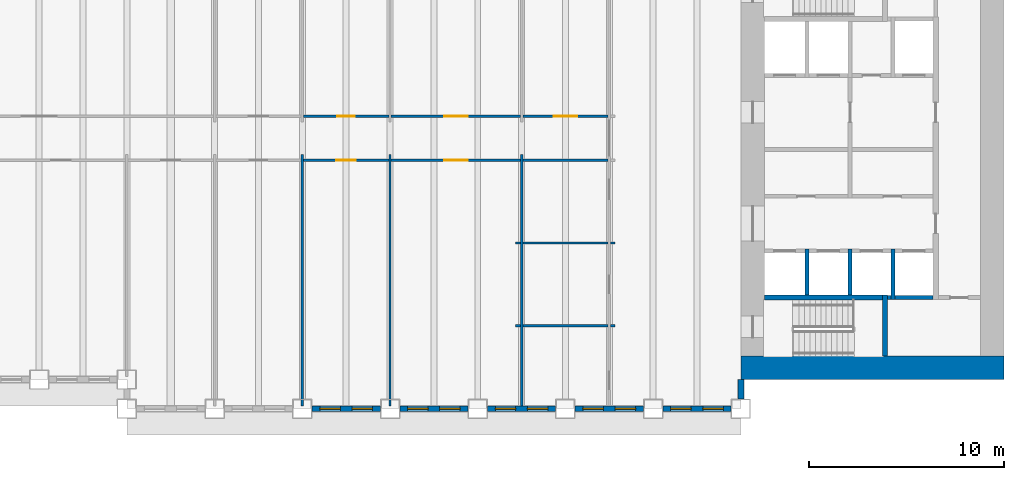
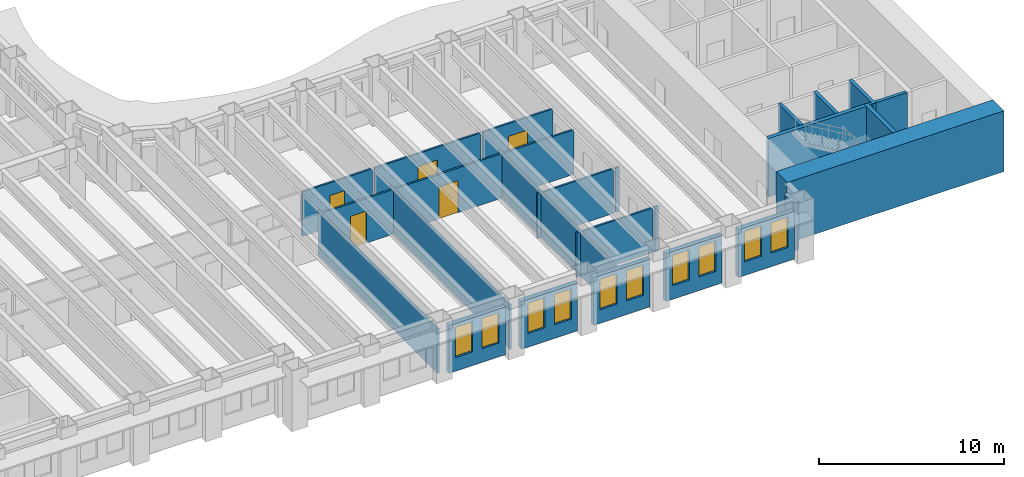
# One storey, part 5 of 16: 29 walls, 10 windows, 5 doors, 15 openings.
"""IFC4 building model written with IfcOpenShell, lengths in metres."""

import ifcopenshell
import ifcopenshell.guid

model = None  # the IFC model being written
_history = None  # IfcOwnerHistory: only IFC2X3 demands one
_inside = {}  # id of a spatial element -> (the spatial element, [elements in it])
_under = {}  # id of a project, library or spatial element -> (it, [spatial elements below it])
_declared = {}  # id of a project -> (the project, [libraries it declares])
_typed = {}  # id of a type object -> (the type object, [elements of that type])
_made_of = {}  # id of a material, layer set ... -> (it, [elements and type objects made of it])


def new_model(schema):
    """Start an empty IFC model of exactly this schema.

    Asked for "IFC4X3", IfcOpenShell would pick the latest addendum, in which some entities
    have other attributes; the version numbers below select the first issue.
    IFC2X3 requires an IfcOwnerHistory on every rooted entity: one is made here for all.
    """
    global model, _history
    if schema == "IFC4X3":
        model = ifcopenshell.file(schema_version=(4, 3, 0, 0))
    else:
        model = ifcopenshell.file(schema=schema)
    _inside.clear()
    _under.clear()
    _declared.clear()
    _typed.clear()
    _made_of.clear()
    _history = None
    if model.schema == "IFC2X3":
        org = make("IfcOrganization", Name="unknown")
        user = make(
            "IfcPersonAndOrganization",
            ThePerson=make("IfcPerson", FamilyName="unknown"),
            TheOrganization=org,
        )
        app = make(
            "IfcApplication",
            ApplicationDeveloper=org,
            Version="unknown",
            ApplicationFullName="unknown",
            ApplicationIdentifier="unknown",
        )
        _history = make(
            "IfcOwnerHistory",
            OwningUser=user,
            OwningApplication=app,
            ChangeAction="ADDED",
            CreationDate=0,
        )
    return model


def make(cls, **values):
    """One entity of the class cls with the attributes given. An attribute that is None is left unset."""
    return model.create_entity(
        cls, **{name: value for name, value in values.items() if value is not None}
    )


def rooted(cls, **values):
    """An entity with a GlobalId (a new one), such as an element, a storey or a relation."""
    return make(cls, GlobalId=ifcopenshell.guid.new(), OwnerHistory=_history, **values)


def si_unit(unit_type, name, prefix=None):
    """IfcSIUnit, for example si_unit("LENGTHUNIT", "METRE", prefix="MILLI")."""
    return make("IfcSIUnit", UnitType=unit_type, Prefix=prefix, Name=name)


def assignment(units):
    """IfcUnitAssignment: the units of a project."""
    return None if units is None else make("IfcUnitAssignment", Units=units)


def point(xyz):
    """IfcCartesianPoint."""
    return None if xyz is None else make("IfcCartesianPoint", Coordinates=xyz)


def direction(xyz):
    """IfcDirection."""
    return None if xyz is None else make("IfcDirection", DirectionRatios=xyz)


def frame(location, z_axis=None, x_axis=None):
    """IfcAxis2Placement3D, a coordinate frame: its origin and axes. An axis left out is left unset."""
    return make(
        "IfcAxis2Placement3D",
        Location=point(location),
        Axis=direction(z_axis),
        RefDirection=direction(x_axis),
    )


def frame_2d(location, x_axis=None):
    """IfcAxis2Placement2D, a coordinate frame in the plane: its origin and x axis."""
    return make(
        "IfcAxis2Placement2D", Location=point(location), RefDirection=direction(x_axis)
    )


def origin():
    """The frame at (0, 0, 0) with its axes left unset."""
    return frame((0.0, 0.0, 0.0))


def place(relative_to, where):
    """IfcLocalPlacement: puts the frame where relative to a parent placement (None: the world)."""
    return make(
        "IfcLocalPlacement", PlacementRelTo=relative_to, RelativePlacement=where
    )


def context(
    kind, dimensions, precision=None, world=None, true_north=None, identifier=None
):
    """IfcGeometricRepresentationContext, for example the 3D "Model" context."""
    return make(
        "IfcGeometricRepresentationContext",
        ContextIdentifier=identifier,
        ContextType=kind,
        CoordinateSpaceDimension=dimensions,
        Precision=precision,
        WorldCoordinateSystem=world,
        TrueNorth=true_north,
    )


def subcontext(parent, identifier, kind, view, scale=None):
    """IfcGeometricRepresentationSubContext, for example "Body" below "Model"."""
    return make(
        "IfcGeometricRepresentationSubContext",
        ContextIdentifier=identifier,
        ContextType=kind,
        ParentContext=parent,
        TargetScale=scale,
        TargetView=view,
    )


def project(units=None, contexts=None):
    """IfcProject with its units and contexts."""
    return rooted(
        "IfcProject",
        Name="project",
        RepresentationContexts=contexts,
        UnitsInContext=assignment(units),
    )


def spatial(cls, under=None, at=None, **own):
    """A site, building, storey or space (cls), placed at a placement, below another one or the project."""
    s = rooted(cls, ObjectPlacement=at, **own)
    if under is not None:
        _under.setdefault(under.id(), (under, []))[1].append(s)
    return s


def profile(cls, at=None, kind="AREA", **sizes):
    """A parametric profile (cls). Its sizes go by their IFC names, for example OverallWidth=200.0."""
    return make(cls, ProfileType=kind, Position=at, **sizes)


def rectangle(**sizes):
    """IfcRectangleProfileDef."""
    return profile("IfcRectangleProfileDef", **sizes)


def extrude(swept, where, along, depth):
    """IfcExtrudedAreaSolid: the profile swept, set in the frame where, extruded along a direction by depth."""
    return make(
        "IfcExtrudedAreaSolid",
        SweptArea=swept,
        Position=where,
        ExtrudedDirection=direction(along),
        Depth=depth,
    )


def shape(context_of_items, identifier, shape_type, items):
    """IfcShapeRepresentation: the items that make up one representation, for example the "Body"."""
    return make(
        "IfcShapeRepresentation",
        ContextOfItems=context_of_items,
        RepresentationIdentifier=identifier,
        RepresentationType=shape_type,
        Items=items,
    )


def material(Name=None, Category=None):
    """IfcMaterial."""
    return make("IfcMaterial", Name=Name, Category=Category)


def layer(
    of_material, thickness, ventilated=None, Name=None, Category=None, Priority=None
):
    """IfcMaterialLayer: one layer of a wall or slab, of a material (None: an air gap)."""
    return make(
        "IfcMaterialLayer",
        Material=of_material,
        LayerThickness=thickness,
        IsVentilated=ventilated,
        Name=Name,
        Category=Category,
        Priority=Priority,
    )


def layer_set(layers, Name=None):
    """IfcMaterialLayerSet."""
    return make("IfcMaterialLayerSet", MaterialLayers=layers, LayerSetName=Name)


def made_of(thing, what):
    """Note that an element or type object is made of a material, layer set ...; save() writes the relation."""
    if what is not None:
        _made_of.setdefault(what.id(), (what, []))[1].append(thing)
    return thing


def type_object(cls, material=None, **own):
    """A type object (cls), such as IfcWallType, which elements share."""
    return made_of(rooted(cls, **own), material)


def element(
    cls,
    number,
    at=None,
    inside=None,
    cuts=None,
    type_object=None,
    material=None,
    context=None,
    identifier="Body",
    shape_type=None,
    held_by="IfcProductDefinitionShape",
    body=None,
    shapes=None,
    **own,
):
    """One element of the class cls, such as IfcWall. Its Tag is "e" and its number.

    at: its placement. inside: the storey or other place that contains it. cuts: it is an
    opening in that element (IfcRelVoidsElement). A single representation is given by context,
    identifier, shape_type and body (its items); several are given by shapes. held_by: the class
    of the entity that holds the representations. save() writes the other relations.
    """
    e = rooted(cls, Tag="e%d" % number, ObjectPlacement=at, **own)
    if body is not None:
        shapes = [shape(context, identifier, shape_type, body)]
    if shapes is not None:
        e.Representation = make(held_by, Representations=shapes)
    if inside is not None:
        _inside.setdefault(inside.id(), (inside, []))[1].append(e)
    if cuts is not None:
        rooted(
            "IfcRelVoidsElement", RelatingBuildingElement=cuts, RelatedOpeningElement=e
        )
    if type_object is not None:
        _typed.setdefault(type_object.id(), (type_object, []))[1].append(e)
    return made_of(e, material)


def fill(opening, filler):
    """IfcRelFillsElement: the door or window that sits in an opening."""
    return rooted(
        "IfcRelFillsElement",
        RelatingOpeningElement=opening,
        RelatedBuildingElement=filler,
    )


def aggregate(whole, parts):
    """IfcRelAggregates: a whole, such as a stair, and the parts it consists of."""
    return rooted("IfcRelAggregates", RelatingObject=whole, RelatedObjects=parts)


def save(model, path):
    """Write the relations noted so far, then the file.

    IfcRelAggregates (storeys below a building ...), IfcRelContainedInSpatialStructure (elements
    in a storey), IfcRelDefinesByType, IfcRelAssociatesMaterial and IfcRelDeclares: one each for
    every whole, place, type object, material and project.
    """
    for whole, parts in _under.values():
        aggregate(whole, parts)
    for where, things in _inside.values():
        rooted(
            "IfcRelContainedInSpatialStructure",
            RelatedElements=things,
            RelatingStructure=where,
        )
    for kind, things in _typed.values():
        rooted("IfcRelDefinesByType", RelatedObjects=things, RelatingType=kind)
    for what, things in _made_of.values():
        rooted("IfcRelAssociatesMaterial", RelatedObjects=things, RelatingMaterial=what)
    for by, libraries in _declared.values():
        rooted("IfcRelDeclares", RelatingContext=by, RelatedDefinitions=libraries)
    model.write(path)


model = new_model("IFC4")

# Units and contexts
model_context = context("Model", 3, precision=1e-05, world=origin(), true_north=direction((0.0, 1.0)))
body_context = subcontext(model_context, "Body", "Model", "MODEL_VIEW")
ifc_project = project(units=[si_unit("LENGTHUNIT", "METRE"), si_unit("AREAUNIT", "SQUARE_METRE"), si_unit("VOLUMEUNIT", "CUBIC_METRE"), si_unit("PLANEANGLEUNIT", "RADIAN"), si_unit("MASSUNIT", "GRAM", prefix="KILO")], contexts=[model_context])

# Site, building, storey
site_placement = place(None, origin())
site = spatial("IfcSite", under=ifc_project, at=site_placement, CompositionType="ELEMENT")
building_placement = place(site_placement, origin())
building = spatial("IfcBuilding", under=site, at=building_placement, Name="Sennacour Bend Tower", CompositionType="ELEMENT")
storey_placement = place(building_placement, frame((0.0, 0.0, 87.0)))
storey = spatial("IfcBuildingStorey", under=building, at=storey_placement, Name="L19", CompositionType="ELEMENT", Elevation=87.0)

# Walls
ifc_material_1 = material(Name="Concrete C80/95", Category="concrete")
ifc_layer_1 = layer(ifc_material_1, 1.199951171875, Name="Concrete C80/95", Category="concrete")
ifc_layer_set_1 = layer_set([ifc_layer_1], Name="Concrete C80/95")
wall_type_1 = type_object("IfcWallType", Name="Core wall 1200 C80/95", PredefinedType="SHEAR", material=ifc_layer_set_1)
wall_1_placement = place(storey_placement, frame((67.5, 0.60009765625, -0.14990234375), z_axis=(0.0, 0.0, 1.0), x_axis=(-1.0, 0.0, 0.0)))
element("IfcWall", 1, at=wall_1_placement, inside=storey, type_object=wall_type_1, Name="Core A wall L19 S", PredefinedType="SHEAR", context=body_context, shape_type="SweptSolid", body=[
    extrude(rectangle(XDim=13.5, YDim=1.199951171875, at=frame_2d((6.75, 0.0))), origin(), (0.0, 0.0, 1.0), 4.0),
])
ifc_material_2 = material(Name="Plasterboard partition on steel studs", Category="steel")
ifc_layer_2 = layer(ifc_material_2, 0.1201171875, Name="Plasterboard partition on steel studs", Category="steel")
ifc_layer_set_2 = layer_set([ifc_layer_2], Name="Plasterboard partition on steel studs")
wall_type_2 = type_object("IfcWallType", Name="Partition 120", PredefinedType="PARTITIONING", material=ifc_layer_set_2)
for number, where, z_axis, x_axis, name in (
    (2, (31.5, -1.35009765625, 0.0), (0.0, 0.0, 1.0), (0.0, 1.0, 0.0), "P-L19-W028a"),
    (3, (36.0, -1.35009765625, 0.0), (0.0, 0.0, 1.0), (0.0, 1.0, 0.0), "P-L19-W030a"),
    (4, (42.75, -1.35009765625, 0.0), (0.0, 0.0, 1.0), (0.0, 1.0, 0.0), "P-L19-W032a"),
):
    element("IfcWall", number, at=place(storey_placement, frame(where, z_axis=z_axis, x_axis=x_axis)), inside=storey, type_object=wall_type_2, Name=name, PredefinedType="PARTITIONING", context=body_context, shape_type="SweptSolid", body=[
        extrude(rectangle(XDim=12.900146484375, YDim=0.1201171875, at=frame_2d((6.4501953125, 0.0))), origin(), (0.0, 0.0, 1.0), 2.93798828125),
    ])
wall_2_placement = place(storey_placement, frame((42.449951171875, 2.75, 0.0), z_axis=(0.0, 0.0, 1.0), x_axis=(1.0, 0.0, 0.0)))
element("IfcWall", 5, at=wall_2_placement, inside=storey, type_object=wall_type_2, Name="P-L19-W049aa", PredefinedType="PARTITIONING", context=body_context, shape_type="SweptSolid", body=[
    extrude(rectangle(XDim=0.239990234375, YDim=0.1201171875, at=frame_2d((0.1201171875, 0.0))), origin(), (0.0, 0.0, 1.0), 2.93798828125),
])
wall_3_placement = place(storey_placement, frame((42.81005859375, 2.75, 0.0), z_axis=(0.0, 0.0, 1.0), x_axis=(1.0, 0.0, 0.0)))
element("IfcWall", 6, at=wall_3_placement, inside=storey, type_object=wall_type_2, Name="P-L19-W049ab", PredefinedType="PARTITIONING", context=body_context, shape_type="SweptSolid", body=[
    extrude(rectangle(XDim=4.3798828125, YDim=0.1201171875, at=frame_2d((2.18994140625, 0.0))), origin(), (0.0, 0.0, 1.0), 2.93798828125),
])
for number, where, z_axis, x_axis, name in (
    (7, (47.31005859375, 2.75, 0.0), (0.0, 0.0, 1.0), (1.0, 0.0, 0.0), "P-L19-W049ac"),
    (8, (42.449951171875, 7.0, 0.0), (0.0, 0.0, 1.0), (1.0, 0.0, 0.0), "P-L19-W056aa"),
):
    element("IfcWall", number, at=place(storey_placement, frame(where, z_axis=z_axis, x_axis=x_axis)), inside=storey, type_object=wall_type_2, Name=name, PredefinedType="PARTITIONING", context=body_context, shape_type="SweptSolid", body=[
        extrude(rectangle(XDim=0.239990234375, YDim=0.1201171875, at=frame_2d((0.1201171875, 0.0))), origin(), (0.0, 0.0, 1.0), 2.93798828125),
    ])
wall_4_placement = place(storey_placement, frame((42.81005859375, 7.0, 0.0), z_axis=(0.0, 0.0, 1.0), x_axis=(1.0, 0.0, 0.0)))
element("IfcWall", 9, at=wall_4_placement, inside=storey, type_object=wall_type_2, Name="P-L19-W056ab", PredefinedType="PARTITIONING", context=body_context, shape_type="SweptSolid", body=[
    extrude(rectangle(XDim=4.3798828125, YDim=0.1201171875, at=frame_2d((2.18994140625, 0.0))), origin(), (0.0, 0.0, 1.0), 2.93798828125),
])
wall_5_placement = place(storey_placement, frame((47.31005859375, 7.0, 0.0), z_axis=(0.0, 0.0, 1.0), x_axis=(1.0, 0.0, 0.0)))
element("IfcWall", 10, at=wall_5_placement, inside=storey, type_object=wall_type_2, Name="P-L19-W056ac", PredefinedType="PARTITIONING", context=body_context, shape_type="SweptSolid", body=[
    extrude(rectangle(XDim=0.239990234375, YDim=0.1201171875, at=frame_2d((0.1201171875, 0.0))), origin(), (0.0, 0.0, 1.0), 2.93798828125),
])

# Wall, opening, door
wall_6_placement = place(storey_placement, frame((31.56005859375, 11.25, 0.0), z_axis=(0.0, 0.0, 1.0), x_axis=(1.0, 0.0, 0.0)))
wall_6 = element("IfcWall", 11, at=wall_6_placement, inside=storey, type_object=wall_type_2, Name="P-L19-W058af", PredefinedType="PARTITIONING", context=body_context, shape_type="SweptSolid", body=[
    extrude(rectangle(XDim=4.3798828125, YDim=0.1201171875, at=frame_2d((2.18994140625, 0.0))), origin(), (0.0, 0.0, 1.0), 2.93798828125),
])
opening_1_placement = place(wall_6_placement, frame((1.68994140625, 0.0, 0.0)))
opening_1 = element("IfcOpeningElement", 12, at=opening_1_placement, cuts=wall_6, Name="Opening MD2", PredefinedType="OPENING", context=body_context, shape_type="SweptSolid", body=[
    extrude(rectangle(XDim=1.0, YDim=2.10009765625, at=frame_2d((0.5, 1.050048828125))), frame((0.0, 0.070068359375, 0.0), z_axis=(0.0, -1.0, 0.0), x_axis=(1.0, 0.0, 0.0)), (0.0, 0.0, 1.0), 0.14013671875),
])
ifc_material_3 = material(Name="Timber", Category="wood")
door_type_1 = type_object("IfcDoorType", Name="DR-MEETING-1000", OperationType="NOTDEFINED", PredefinedType="DOOR", material=ifc_material_3)
door_1_placement = place(opening_1_placement, origin())
door_1 = element("IfcDoor", 13, at=door_1_placement, inside=storey, type_object=door_type_1, Name="Door", OperationType="SINGLE_SWING_LEFT", OverallHeight=2.10009765625, OverallWidth=1.0, PredefinedType="DOOR", context=body_context, shape_type="SweptSolid", body=[
    extrude(rectangle(XDim=1.0, YDim=2.10009765625, at=frame_2d((0.5, 1.050048828125))), frame((0.0, 0.02490234375, 0.0), z_axis=(0.0, -1.0, 0.0), x_axis=(1.0, 0.0, 0.0)), (0.0, 0.0, 1.0), 0.050048828125),
])
fill(opening_1, door_1)

wall_7_placement = place(storey_placement, frame((36.06005859375, 11.25, 0.0), z_axis=(0.0, 0.0, 1.0), x_axis=(1.0, 0.0, 0.0)))
wall_7 = element("IfcWall", 14, at=wall_7_placement, inside=storey, type_object=wall_type_2, Name="P-L19-W058ag", PredefinedType="PARTITIONING", context=body_context, shape_type="SweptSolid", body=[
    extrude(rectangle(XDim=6.6298828125, YDim=0.1201171875, at=frame_2d((3.31494140625, 0.0))), origin(), (0.0, 0.0, 1.0), 2.93798828125),
])
opening_2_placement = place(wall_7_placement, frame((2.71484375, 0.0, 0.0)))
opening_2 = element("IfcOpeningElement", 15, at=opening_2_placement, cuts=wall_7, Name="Opening OD", PredefinedType="OPENING", context=body_context, shape_type="SweptSolid", body=[
    extrude(rectangle(XDim=1.199951171875, YDim=2.10009765625, at=frame_2d((0.60009765625, 1.050048828125))), frame((0.0, 0.070068359375, 0.0), z_axis=(0.0, -1.0, 0.0), x_axis=(1.0, 0.0, 0.0)), (0.0, 0.0, 1.0), 0.14013671875),
])
door_type_2 = type_object("IfcDoorType", Name="DR-OFFICE-1200", OperationType="NOTDEFINED", PredefinedType="DOOR", material=ifc_material_3)
door_2_placement = place(opening_2_placement, origin())
door_2 = element("IfcDoor", 16, at=door_2_placement, inside=storey, type_object=door_type_2, Name="Door", OperationType="SINGLE_SWING_LEFT", OverallHeight=2.10009765625, OverallWidth=1.199951171875, PredefinedType="DOOR", context=body_context, shape_type="SweptSolid", body=[
    extrude(rectangle(XDim=1.199951171875, YDim=2.10009765625, at=frame_2d((0.60009765625, 1.050048828125))), frame((0.0, 0.02490234375, 0.0), z_axis=(0.0, -1.0, 0.0), x_axis=(1.0, 0.0, 0.0)), (0.0, 0.0, 1.0), 0.050048828125),
])
fill(opening_2, door_2)

# Wall
wall_8_placement = place(storey_placement, frame((42.81005859375, 11.25, 0.0), z_axis=(0.0, 0.0, 1.0), x_axis=(1.0, 0.0, 0.0)))
element("IfcWall", 17, at=wall_8_placement, inside=storey, type_object=wall_type_2, Name="P-L19-W058ah", PredefinedType="PARTITIONING", context=body_context, shape_type="SweptSolid", body=[
    extrude(rectangle(XDim=4.3798828125, YDim=0.1201171875, at=frame_2d((2.18994140625, 0.0))), origin(), (0.0, 0.0, 1.0), 2.93798828125),
])

# Wall, opening, door
wall_9_placement = place(storey_placement, frame((36.06005859375, 13.5, 0.0), z_axis=(0.0, 0.0, 1.0), x_axis=(1.0, 0.0, 0.0)))
wall_9 = element("IfcWall", 18, at=wall_9_placement, inside=storey, type_object=wall_type_2, Name="P-L19-W060af", PredefinedType="PARTITIONING", context=body_context, shape_type="SweptSolid", body=[
    extrude(rectangle(XDim=6.6298828125, YDim=0.1201171875, at=frame_2d((3.31494140625, 0.0))), origin(), (0.0, 0.0, 1.0), 2.93798828125),
])
opening_3_placement = place(wall_9_placement, frame((2.71484375, 0.0, 0.0)))
opening_3 = element("IfcOpeningElement", 19, at=opening_3_placement, cuts=wall_9, Name="Opening MD", PredefinedType="OPENING", context=body_context, shape_type="SweptSolid", body=[
    extrude(rectangle(XDim=1.199951171875, YDim=2.10009765625, at=frame_2d((0.60009765625, 1.050048828125))), frame((0.0, 0.070068359375, 0.0), z_axis=(0.0, -1.0, 0.0), x_axis=(1.0, 0.0, 0.0)), (0.0, 0.0, 1.0), 0.14013671875),
])
door_type_3 = type_object("IfcDoorType", Name="DR-MEETING-1200", OperationType="NOTDEFINED", PredefinedType="DOOR", material=ifc_material_3)
door_3_placement = place(opening_3_placement, origin())
door_3 = element("IfcDoor", 20, at=door_3_placement, inside=storey, type_object=door_type_3, Name="Door", OperationType="SINGLE_SWING_LEFT", OverallHeight=2.10009765625, OverallWidth=1.199951171875, PredefinedType="DOOR", context=body_context, shape_type="SweptSolid", body=[
    extrude(rectangle(XDim=1.199951171875, YDim=2.10009765625, at=frame_2d((0.60009765625, 1.050048828125))), frame((0.0, 0.02490234375, 0.0), z_axis=(0.0, -1.0, 0.0), x_axis=(1.0, 0.0, 0.0)), (0.0, 0.0, 1.0), 0.050048828125),
])
fill(opening_3, door_3)

wall_10_placement = place(storey_placement, frame((42.81005859375, 13.5, 0.0), z_axis=(0.0, 0.0, 1.0), x_axis=(1.0, 0.0, 0.0)))
wall_10 = element("IfcWall", 21, at=wall_10_placement, inside=storey, type_object=wall_type_2, Name="P-L19-W060ag", PredefinedType="PARTITIONING", context=body_context, shape_type="SweptSolid", body=[
    extrude(rectangle(XDim=4.3798828125, YDim=0.1201171875, at=frame_2d((2.18994140625, 0.0))), origin(), (0.0, 0.0, 1.0), 2.93798828125),
])
opening_4_placement = place(wall_10_placement, frame((1.58984375, 0.0, 0.0)))
opening_4 = element("IfcOpeningElement", 22, at=opening_4_placement, cuts=wall_10, Name="Opening OD", PredefinedType="OPENING", context=body_context, shape_type="SweptSolid", body=[
    extrude(rectangle(XDim=1.199951171875, YDim=2.10009765625, at=frame_2d((0.60009765625, 1.050048828125))), frame((0.0, 0.070068359375, 0.0), z_axis=(0.0, -1.0, 0.0), x_axis=(1.0, 0.0, 0.0)), (0.0, 0.0, 1.0), 0.14013671875),
])
door_4_placement = place(opening_4_placement, origin())
door_4 = element("IfcDoor", 23, at=door_4_placement, inside=storey, type_object=door_type_2, Name="Door", OperationType="SINGLE_SWING_LEFT", OverallHeight=2.10009765625, OverallWidth=1.199951171875, PredefinedType="DOOR", context=body_context, shape_type="SweptSolid", body=[
    extrude(rectangle(XDim=1.199951171875, YDim=2.10009765625, at=frame_2d((0.60009765625, 1.050048828125))), frame((0.0, 0.02490234375, 0.0), z_axis=(0.0, -1.0, 0.0), x_axis=(1.0, 0.0, 0.0)), (0.0, 0.0, 1.0), 0.050048828125),
])
fill(opening_4, door_4)

ifc_layer_3 = layer(ifc_material_2, 0.1201171875, Name="Plasterboard partition on steel studs", Category="steel")
ifc_layer_set_3 = layer_set([ifc_layer_3], Name="Plasterboard partition on steel studs")
wall_type_3 = type_object("IfcWallType", Name="Partition 120 EI 60", PredefinedType="PARTITIONING", material=ifc_layer_set_3)
wall_11_placement = place(storey_placement, frame((31.56005859375, 13.5, 0.0), z_axis=(0.0, 0.0, 1.0), x_axis=(1.0, 0.0, 0.0)))
wall_11 = element("IfcWall", 24, at=wall_11_placement, inside=storey, type_object=wall_type_3, Name="P-L19-W060ae", PredefinedType="PARTITIONING", context=body_context, shape_type="SweptSolid", body=[
    extrude(rectangle(XDim=4.3798828125, YDim=0.1201171875, at=frame_2d((2.18994140625, 0.0))), origin(), (0.0, 0.0, 1.0), 2.93798828125),
])
opening_5_placement = place(wall_11_placement, frame((1.739990234375, 0.0, 0.0)))
opening_5 = element("IfcOpeningElement", 25, at=opening_5_placement, cuts=wall_11, Name="Opening SV", PredefinedType="OPENING", context=body_context, shape_type="SweptSolid", body=[
    extrude(rectangle(XDim=0.89990234375, YDim=2.10009765625, at=frame_2d((0.449951171875, 1.050048828125))), frame((0.0, 0.070068359375, 0.0), z_axis=(0.0, -1.0, 0.0), x_axis=(1.0, 0.0, 0.0)), (0.0, 0.0, 1.0), 0.14013671875),
])
ifc_material_4 = material(Name="Painted steel", Category="steel")
door_type_4 = type_object("IfcDoorType", Name="DR-SERVICE-900", OperationType="NOTDEFINED", PredefinedType="DOOR", material=ifc_material_4)
door_5_placement = place(opening_5_placement, origin())
door_5 = element("IfcDoor", 26, at=door_5_placement, inside=storey, type_object=door_type_4, Name="Door", OperationType="SINGLE_SWING_LEFT", OverallHeight=2.10009765625, OverallWidth=0.89990234375, PredefinedType="DOOR", context=body_context, shape_type="SweptSolid", body=[
    extrude(rectangle(XDim=0.89990234375, YDim=2.10009765625, at=frame_2d((0.449951171875, 1.050048828125))), frame((0.0, 0.02490234375, 0.0), z_axis=(0.0, -1.0, 0.0), x_axis=(1.0, 0.0, 0.0)), (0.0, 0.0, 1.0), 0.050048828125),
])
fill(opening_5, door_5)

# Wall, openings, windows
ifc_material_5 = material(Name="Warm limestone cladding", Category="masonry")
ifc_layer_4 = layer(ifc_material_5, 0.050048828125, Name="Warm limestone cladding", Category="masonry")
ifc_material_6 = material(Name="Precast concrete C40/50", Category="concrete")
ifc_layer_5 = layer(ifc_material_6, 0.25, Name="Precast concrete C40/50", Category="concrete")
ifc_layer_set_4 = layer_set([ifc_layer_4, ifc_layer_5], Name="Precast concrete C40/50 with limestone cladding")
wall_type_4 = type_object("IfcWallType", Name="STONE-CLAD PRECAST SPANDREL 300", PredefinedType="STANDARD", material=ifc_layer_set_4)
wall_12_placement = place(storey_placement, frame((32.0, -1.5, 0.0), z_axis=(0.0, 0.0, 1.0), x_axis=(1.0, 0.0, 0.0)))
wall_12 = element("IfcWall", 27, at=wall_12_placement, inside=storey, type_object=wall_type_4, Name="Stone spandrel and pier wall L19 00.02", PredefinedType="STANDARD", context=body_context, shape_type="SweptSolid", body=[
    extrude(rectangle(XDim=3.5, YDim=0.300048828125, at=frame_2d((1.75, 0.0))), origin(), (0.0, 0.0, 1.0), 3.154052734375),
])
opening_6_placement = place(wall_12_placement, frame((0.39990234375, 0.0, 0.89990234375)))
opening_6 = element("IfcOpeningElement", 28, at=opening_6_placement, cuts=wall_12, Name="Opening W13", PredefinedType="OPENING", context=body_context, shape_type="SweptSolid", body=[
    extrude(rectangle(XDim=1.050048828125, YDim=2.0, at=frame_2d((0.52490234375, 1.0))), frame((0.0, 0.16015625, 0.0), z_axis=(0.0, -1.0, 0.0), x_axis=(1.0, 0.0, 0.0)), (0.0, 0.0, 1.0), 0.320068359375),
])
opening_7_placement = place(wall_12_placement, frame((2.050048828125, 0.0, 0.89990234375)))
opening_7 = element("IfcOpeningElement", 29, at=opening_7_placement, cuts=wall_12, Name="Opening W13", PredefinedType="OPENING", context=body_context, shape_type="SweptSolid", body=[
    extrude(rectangle(XDim=1.050048828125, YDim=2.0, at=frame_2d((0.52490234375, 1.0))), frame((0.0, 0.16015625, 0.0), z_axis=(0.0, -1.0, 0.0), x_axis=(1.0, 0.0, 0.0)), (0.0, 0.0, 1.0), 0.320068359375),
])
ifc_material_7 = material(Name="Clear low-emissivity glass", Category="glass")
window_type = type_object("IfcWindowType", Name="WIN-RIBBON-1050x2000", PartitioningType="SINGLE_PANEL", PredefinedType="WINDOW", material=ifc_material_7)
window_1_placement = place(opening_6_placement, origin())
window_1 = element("IfcWindow", 30, at=window_1_placement, inside=storey, type_object=window_type, Name="Ribbon window L19 00.02.0", OverallHeight=2.0, OverallWidth=1.050048828125, PartitioningType="SINGLE_PANEL", PredefinedType="WINDOW", context=body_context, shape_type="SweptSolid", body=[
    extrude(rectangle(XDim=1.050048828125, YDim=2.0, at=frame_2d((0.52490234375, 1.0))), frame((0.0, 0.030029296875, 0.0), z_axis=(0.0, -1.0, 0.0), x_axis=(1.0, 0.0, 0.0)), (0.0, 0.0, 1.0), 0.06005859375),
])
fill(opening_6, window_1)
window_2_placement = place(opening_7_placement, origin())
window_2 = element("IfcWindow", 31, at=window_2_placement, inside=storey, type_object=window_type, Name="Ribbon window L19 00.02.1", OverallHeight=2.0, OverallWidth=1.050048828125, PartitioningType="SINGLE_PANEL", PredefinedType="WINDOW", context=body_context, shape_type="SweptSolid", body=[
    extrude(rectangle(XDim=1.050048828125, YDim=2.0, at=frame_2d((0.52490234375, 1.0))), frame((0.0, 0.030029296875, 0.0), z_axis=(0.0, -1.0, 0.0), x_axis=(1.0, 0.0, 0.0)), (0.0, 0.0, 1.0), 0.06005859375),
])
fill(opening_7, window_2)

wall_13_placement = place(storey_placement, frame((36.5, -1.5, 0.0), z_axis=(0.0, 0.0, 1.0), x_axis=(1.0, 0.0, 0.0)))
wall_13 = element("IfcWall", 32, at=wall_13_placement, inside=storey, type_object=wall_type_4, Name="Stone spandrel and pier wall L19 00.03", PredefinedType="STANDARD", context=body_context, shape_type="SweptSolid", body=[
    extrude(rectangle(XDim=3.5, YDim=0.300048828125, at=frame_2d((1.75, 0.0))), origin(), (0.0, 0.0, 1.0), 3.154052734375),
])
opening_8_placement = place(wall_13_placement, frame((0.39990234375, 0.0, 0.89990234375)))
opening_8 = element("IfcOpeningElement", 33, at=opening_8_placement, cuts=wall_13, Name="Opening W13", PredefinedType="OPENING", context=body_context, shape_type="SweptSolid", body=[
    extrude(rectangle(XDim=1.050048828125, YDim=2.0, at=frame_2d((0.52490234375, 1.0))), frame((0.0, 0.16015625, 0.0), z_axis=(0.0, -1.0, 0.0), x_axis=(1.0, 0.0, 0.0)), (0.0, 0.0, 1.0), 0.320068359375),
])
opening_9_placement = place(wall_13_placement, frame((2.050048828125, 0.0, 0.89990234375)))
opening_9 = element("IfcOpeningElement", 34, at=opening_9_placement, cuts=wall_13, Name="Opening W13", PredefinedType="OPENING", context=body_context, shape_type="SweptSolid", body=[
    extrude(rectangle(XDim=1.050048828125, YDim=2.0, at=frame_2d((0.52490234375, 1.0))), frame((0.0, 0.16015625, 0.0), z_axis=(0.0, -1.0, 0.0), x_axis=(1.0, 0.0, 0.0)), (0.0, 0.0, 1.0), 0.320068359375),
])
window_3_placement = place(opening_8_placement, origin())
window_3 = element("IfcWindow", 35, at=window_3_placement, inside=storey, type_object=window_type, Name="Ribbon window L19 00.03.0", OverallHeight=2.0, OverallWidth=1.050048828125, PartitioningType="SINGLE_PANEL", PredefinedType="WINDOW", context=body_context, shape_type="SweptSolid", body=[
    extrude(rectangle(XDim=1.050048828125, YDim=2.0, at=frame_2d((0.52490234375, 1.0))), frame((0.0, 0.030029296875, 0.0), z_axis=(0.0, -1.0, 0.0), x_axis=(1.0, 0.0, 0.0)), (0.0, 0.0, 1.0), 0.06005859375),
])
fill(opening_8, window_3)
window_4_placement = place(opening_9_placement, origin())
window_4 = element("IfcWindow", 36, at=window_4_placement, inside=storey, type_object=window_type, Name="Ribbon window L19 00.03.1", OverallHeight=2.0, OverallWidth=1.050048828125, PartitioningType="SINGLE_PANEL", PredefinedType="WINDOW", context=body_context, shape_type="SweptSolid", body=[
    extrude(rectangle(XDim=1.050048828125, YDim=2.0, at=frame_2d((0.52490234375, 1.0))), frame((0.0, 0.030029296875, 0.0), z_axis=(0.0, -1.0, 0.0), x_axis=(1.0, 0.0, 0.0)), (0.0, 0.0, 1.0), 0.06005859375),
])
fill(opening_9, window_4)

wall_14_placement = place(storey_placement, frame((41.0, -1.5, 0.0), z_axis=(0.0, 0.0, 1.0), x_axis=(1.0, 0.0, 0.0)))
wall_14 = element("IfcWall", 37, at=wall_14_placement, inside=storey, type_object=wall_type_4, Name="Stone spandrel and pier wall L19 00.04", PredefinedType="STANDARD", context=body_context, shape_type="SweptSolid", body=[
    extrude(rectangle(XDim=3.5, YDim=0.300048828125, at=frame_2d((1.75, 0.0))), origin(), (0.0, 0.0, 1.0), 3.154052734375),
])
opening_10_placement = place(wall_14_placement, frame((0.39990234375, 0.0, 0.89990234375)))
opening_10 = element("IfcOpeningElement", 38, at=opening_10_placement, cuts=wall_14, Name="Opening W13", PredefinedType="OPENING", context=body_context, shape_type="SweptSolid", body=[
    extrude(rectangle(XDim=1.050048828125, YDim=2.0, at=frame_2d((0.52490234375, 1.0))), frame((0.0, 0.16015625, 0.0), z_axis=(0.0, -1.0, 0.0), x_axis=(1.0, 0.0, 0.0)), (0.0, 0.0, 1.0), 0.320068359375),
])
opening_11_placement = place(wall_14_placement, frame((2.050048828125, 0.0, 0.89990234375)))
opening_11 = element("IfcOpeningElement", 39, at=opening_11_placement, cuts=wall_14, Name="Opening W13", PredefinedType="OPENING", context=body_context, shape_type="SweptSolid", body=[
    extrude(rectangle(XDim=1.050048828125, YDim=2.0, at=frame_2d((0.52490234375, 1.0))), frame((0.0, 0.16015625, 0.0), z_axis=(0.0, -1.0, 0.0), x_axis=(1.0, 0.0, 0.0)), (0.0, 0.0, 1.0), 0.320068359375),
])
window_5_placement = place(opening_10_placement, origin())
window_5 = element("IfcWindow", 40, at=window_5_placement, inside=storey, type_object=window_type, Name="Ribbon window L19 00.04.0", OverallHeight=2.0, OverallWidth=1.050048828125, PartitioningType="SINGLE_PANEL", PredefinedType="WINDOW", context=body_context, shape_type="SweptSolid", body=[
    extrude(rectangle(XDim=1.050048828125, YDim=2.0, at=frame_2d((0.52490234375, 1.0))), frame((0.0, 0.030029296875, 0.0), z_axis=(0.0, -1.0, 0.0), x_axis=(1.0, 0.0, 0.0)), (0.0, 0.0, 1.0), 0.06005859375),
])
fill(opening_10, window_5)
window_6_placement = place(opening_11_placement, origin())
window_6 = element("IfcWindow", 41, at=window_6_placement, inside=storey, type_object=window_type, Name="Ribbon window L19 00.04.1", OverallHeight=2.0, OverallWidth=1.050048828125, PartitioningType="SINGLE_PANEL", PredefinedType="WINDOW", context=body_context, shape_type="SweptSolid", body=[
    extrude(rectangle(XDim=1.050048828125, YDim=2.0, at=frame_2d((0.52490234375, 1.0))), frame((0.0, 0.030029296875, 0.0), z_axis=(0.0, -1.0, 0.0), x_axis=(1.0, 0.0, 0.0)), (0.0, 0.0, 1.0), 0.06005859375),
])
fill(opening_11, window_6)

wall_15_placement = place(storey_placement, frame((45.5, -1.5, 0.0), z_axis=(0.0, 0.0, 1.0), x_axis=(1.0, 0.0, 0.0)))
wall_15 = element("IfcWall", 42, at=wall_15_placement, inside=storey, type_object=wall_type_4, Name="Stone spandrel and pier wall L19 00.05", PredefinedType="STANDARD", context=body_context, shape_type="SweptSolid", body=[
    extrude(rectangle(XDim=3.5, YDim=0.300048828125, at=frame_2d((1.75, 0.0))), origin(), (0.0, 0.0, 1.0), 3.154052734375),
])
opening_12_placement = place(wall_15_placement, frame((0.39990234375, 0.0, 0.89990234375)))
opening_12 = element("IfcOpeningElement", 43, at=opening_12_placement, cuts=wall_15, Name="Opening W13", PredefinedType="OPENING", context=body_context, shape_type="SweptSolid", body=[
    extrude(rectangle(XDim=1.050048828125, YDim=2.0, at=frame_2d((0.52490234375, 1.0))), frame((0.0, 0.16015625, 0.0), z_axis=(0.0, -1.0, 0.0), x_axis=(1.0, 0.0, 0.0)), (0.0, 0.0, 1.0), 0.320068359375),
])
opening_13_placement = place(wall_15_placement, frame((2.050048828125, 0.0, 0.89990234375)))
opening_13 = element("IfcOpeningElement", 44, at=opening_13_placement, cuts=wall_15, Name="Opening W13", PredefinedType="OPENING", context=body_context, shape_type="SweptSolid", body=[
    extrude(rectangle(XDim=1.050048828125, YDim=2.0, at=frame_2d((0.52490234375, 1.0))), frame((0.0, 0.16015625, 0.0), z_axis=(0.0, -1.0, 0.0), x_axis=(1.0, 0.0, 0.0)), (0.0, 0.0, 1.0), 0.320068359375),
])
window_7_placement = place(opening_12_placement, origin())
window_7 = element("IfcWindow", 45, at=window_7_placement, inside=storey, type_object=window_type, Name="Ribbon window L19 00.05.0", OverallHeight=2.0, OverallWidth=1.050048828125, PartitioningType="SINGLE_PANEL", PredefinedType="WINDOW", context=body_context, shape_type="SweptSolid", body=[
    extrude(rectangle(XDim=1.050048828125, YDim=2.0, at=frame_2d((0.52490234375, 1.0))), frame((0.0, 0.030029296875, 0.0), z_axis=(0.0, -1.0, 0.0), x_axis=(1.0, 0.0, 0.0)), (0.0, 0.0, 1.0), 0.06005859375),
])
fill(opening_12, window_7)
window_8_placement = place(opening_13_placement, origin())
window_8 = element("IfcWindow", 46, at=window_8_placement, inside=storey, type_object=window_type, Name="Ribbon window L19 00.05.1", OverallHeight=2.0, OverallWidth=1.050048828125, PartitioningType="SINGLE_PANEL", PredefinedType="WINDOW", context=body_context, shape_type="SweptSolid", body=[
    extrude(rectangle(XDim=1.050048828125, YDim=2.0, at=frame_2d((0.52490234375, 1.0))), frame((0.0, 0.030029296875, 0.0), z_axis=(0.0, -1.0, 0.0), x_axis=(1.0, 0.0, 0.0)), (0.0, 0.0, 1.0), 0.06005859375),
])
fill(opening_13, window_8)

wall_16_placement = place(storey_placement, frame((50.0, -1.5, 0.0), z_axis=(0.0, 0.0, 1.0), x_axis=(1.0, 0.0, 0.0)))
wall_16 = element("IfcWall", 47, at=wall_16_placement, inside=storey, type_object=wall_type_4, Name="Stone spandrel and pier wall L19 00.06", PredefinedType="STANDARD", context=body_context, shape_type="SweptSolid", body=[
    extrude(rectangle(XDim=3.5, YDim=0.300048828125, at=frame_2d((1.75, 0.0))), origin(), (0.0, 0.0, 1.0), 3.154052734375),
])
opening_14_placement = place(wall_16_placement, frame((0.39990234375, 0.0, 0.89990234375)))
opening_14 = element("IfcOpeningElement", 48, at=opening_14_placement, cuts=wall_16, Name="Opening W13", PredefinedType="OPENING", context=body_context, shape_type="SweptSolid", body=[
    extrude(rectangle(XDim=1.050048828125, YDim=2.0, at=frame_2d((0.52490234375, 1.0))), frame((0.0, 0.16015625, 0.0), z_axis=(0.0, -1.0, 0.0), x_axis=(1.0, 0.0, 0.0)), (0.0, 0.0, 1.0), 0.320068359375),
])
opening_15_placement = place(wall_16_placement, frame((2.050048828125, 0.0, 0.89990234375)))
opening_15 = element("IfcOpeningElement", 49, at=opening_15_placement, cuts=wall_16, Name="Opening W13", PredefinedType="OPENING", context=body_context, shape_type="SweptSolid", body=[
    extrude(rectangle(XDim=1.050048828125, YDim=2.0, at=frame_2d((0.52490234375, 1.0))), frame((0.0, 0.16015625, 0.0), z_axis=(0.0, -1.0, 0.0), x_axis=(1.0, 0.0, 0.0)), (0.0, 0.0, 1.0), 0.320068359375),
])
window_9_placement = place(opening_14_placement, origin())
window_9 = element("IfcWindow", 50, at=window_9_placement, inside=storey, type_object=window_type, Name="Ribbon window L19 00.06.0", OverallHeight=2.0, OverallWidth=1.050048828125, PartitioningType="SINGLE_PANEL", PredefinedType="WINDOW", context=body_context, shape_type="SweptSolid", body=[
    extrude(rectangle(XDim=1.050048828125, YDim=2.0, at=frame_2d((0.52490234375, 1.0))), frame((0.0, 0.030029296875, 0.0), z_axis=(0.0, -1.0, 0.0), x_axis=(1.0, 0.0, 0.0)), (0.0, 0.0, 1.0), 0.06005859375),
])
fill(opening_14, window_9)
window_10_placement = place(opening_15_placement, origin())
window_10 = element("IfcWindow", 51, at=window_10_placement, inside=storey, type_object=window_type, Name="Ribbon window L19 00.06.1", OverallHeight=2.0, OverallWidth=1.050048828125, PartitioningType="SINGLE_PANEL", PredefinedType="WINDOW", context=body_context, shape_type="SweptSolid", body=[
    extrude(rectangle(XDim=1.050048828125, YDim=2.0, at=frame_2d((0.52490234375, 1.0))), frame((0.0, 0.030029296875, 0.0), z_axis=(0.0, -1.0, 0.0), x_axis=(1.0, 0.0, 0.0)), (0.0, 0.0, 1.0), 0.06005859375),
])
fill(opening_15, window_10)

# Walls
wall_17_placement = place(storey_placement, frame((54.0, -1.0, 0.0), z_axis=(0.0, 0.0, 1.0), x_axis=(0.0, 1.0, 0.0)))
element("IfcWall", 52, at=wall_17_placement, inside=storey, type_object=wall_type_4, Name="Stone spandrel and pier wall L19 01.00", PredefinedType="STANDARD", context=body_context, shape_type="SweptSolid", body=[
    extrude(rectangle(XDim=1.0, YDim=0.300048828125, at=frame_2d((0.5, 0.0))), origin(), (0.0, 0.0, 1.0), 3.154052734375),
])
ifc_material_8 = material(Name="Concrete C50/60", Category="concrete")
ifc_layer_6 = layer(ifc_material_8, 0.199951171875, Name="Concrete C50/60", Category="concrete")
ifc_layer_set_5 = layer_set([ifc_layer_6], Name="Concrete C50/60")
wall_type_5 = type_object("IfcWallType", Name="Shaft wall 200", PredefinedType="SOLIDWALL", material=ifc_layer_set_5)
for number, where, z_axis, x_axis, name in (
    (53, (57.39990234375, 4.324951171875, 0.0), (0.0, 0.0, 1.0), (0.0, 1.0, 0.0), "P-L19-W036"),
    (54, (59.60009765625, 4.324951171875, 0.0), (0.0, 0.0, 1.0), (0.0, 1.0, 0.0), "P-L19-W038"),
):
    element("IfcWall", number, at=place(storey_placement, frame(where, z_axis=z_axis, x_axis=x_axis)), inside=storey, type_object=wall_type_5, Name=name, PredefinedType="SOLIDWALL", context=body_context, shape_type="SweptSolid", body=[
        extrude(rectangle(XDim=2.375, YDim=0.199951171875, at=frame_2d((1.1875, 0.0))), origin(), (0.0, 0.0, 1.0), 3.85009765625),
    ])
wall_18_placement = place(storey_placement, frame((61.800048828125, 4.10009765625, 0.0), z_axis=(0.0, 0.0, 1.0), x_axis=(0.0, 1.0, 0.0)))
element("IfcWall", 55, at=wall_18_placement, inside=storey, type_object=wall_type_5, Name="P-L19-W043", PredefinedType="SOLIDWALL", context=body_context, shape_type="SweptSolid", body=[
    extrude(rectangle(XDim=2.599853515625, YDim=0.199951171875, at=frame_2d((1.2998046875, 0.0))), origin(), (0.0, 0.0, 1.0), 3.85009765625),
])
wall_19_placement = place(storey_placement, frame((61.52490234375, 4.199951171875, 0.0), z_axis=(0.0, 0.0, 1.0), x_axis=(1.0, 0.0, 0.0)))
element("IfcWall", 56, at=wall_19_placement, inside=storey, type_object=wall_type_5, Name="P-L19-W053a", PredefinedType="SOLIDWALL", context=body_context, shape_type="SweptSolid", body=[
    extrude(rectangle(XDim=0.175048828125, YDim=0.199951171875, at=frame_2d((0.08740234375, 0.0))), origin(), (0.0, 0.0, 1.0), 3.85009765625),
])
wall_20_placement = place(storey_placement, frame((61.89990234375, 4.199951171875, 0.0), z_axis=(0.0, 0.0, 1.0), x_axis=(1.0, 0.0, 0.0)))
element("IfcWall", 57, at=wall_20_placement, inside=storey, type_object=wall_type_5, Name="P-L19-W053b", PredefinedType="SOLIDWALL", context=body_context, shape_type="SweptSolid", body=[
    extrude(rectangle(XDim=1.9501953125, YDim=0.199951171875, at=frame_2d((0.97509765625, 0.0))), origin(), (0.0, 0.0, 1.0), 3.85009765625),
])
ifc_material_9 = material(Name="Concrete C60/75", Category="concrete")
ifc_layer_7 = layer(ifc_material_9, 0.25, Name="Concrete C60/75", Category="concrete")
ifc_layer_set_6 = layer_set([ifc_layer_7], Name="Concrete C60/75")
wall_type_6 = type_object("IfcWallType", Name="Stair wall 250", PredefinedType="SHEAR", material=ifc_layer_set_6)
wall_21_placement = place(storey_placement, frame((61.39990234375, 1.199951171875, 0.0), z_axis=(0.0, 0.0, 1.0), x_axis=(0.0, 1.0, 0.0)))
element("IfcWall", 58, at=wall_21_placement, inside=storey, type_object=wall_type_6, Name="P-L19-W041", PredefinedType="SHEAR", context=body_context, shape_type="SweptSolid", body=[
    extrude(rectangle(XDim=3.125, YDim=0.25, at=frame_2d((1.5625, 0.0))), origin(), (0.0, 0.0, 1.0), 3.85009765625),
])
wall_22_placement = place(storey_placement, frame((55.199951171875, 4.199951171875, 0.0), z_axis=(0.0, 0.0, 1.0), x_axis=(1.0, 0.0, 0.0)))
element("IfcWall", 59, at=wall_22_placement, inside=storey, type_object=wall_type_6, Name="P-L19-W052", PredefinedType="SHEAR", context=body_context, shape_type="SweptSolid", body=[
    extrude(rectangle(XDim=6.074951171875, YDim=0.25, at=frame_2d((3.03759765625, 0.0))), origin(), (0.0, 0.0, 1.0), 3.85009765625),
])

save(model, "model.ifc")
